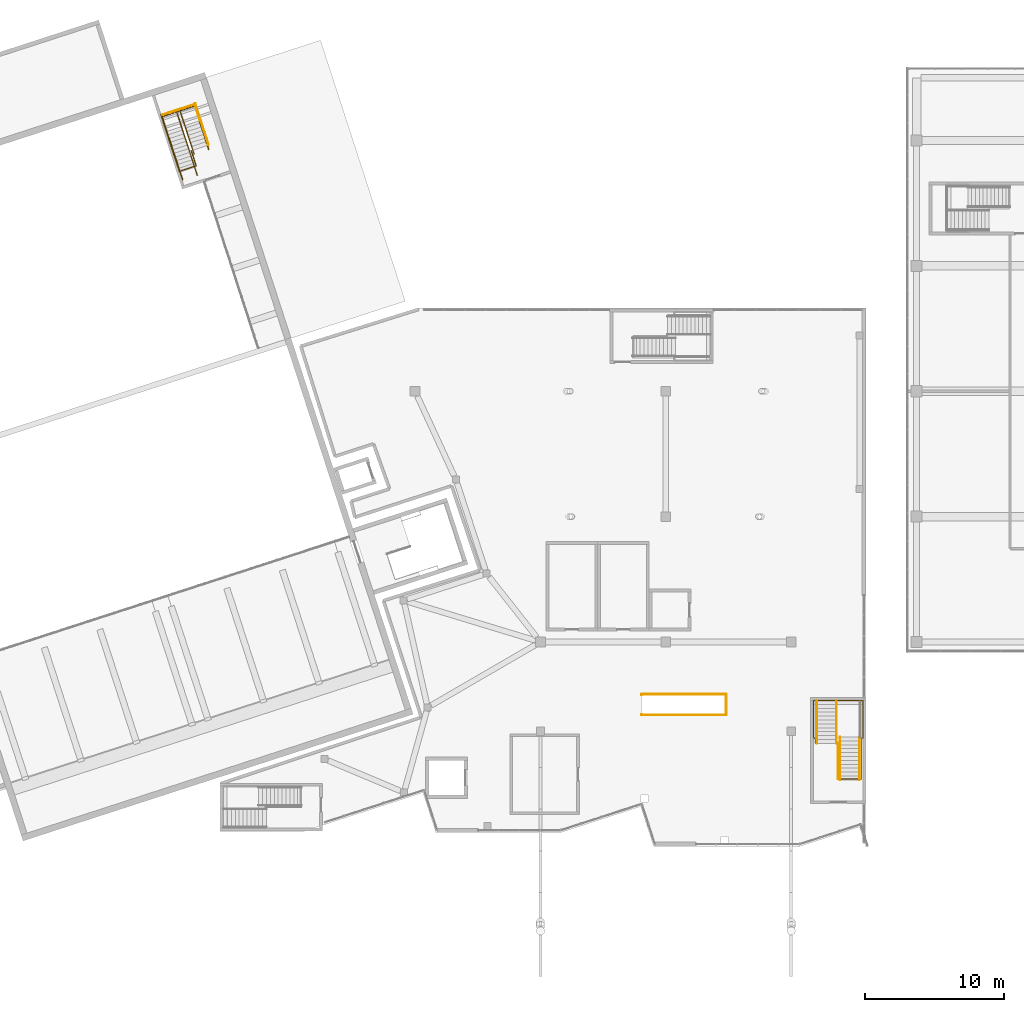
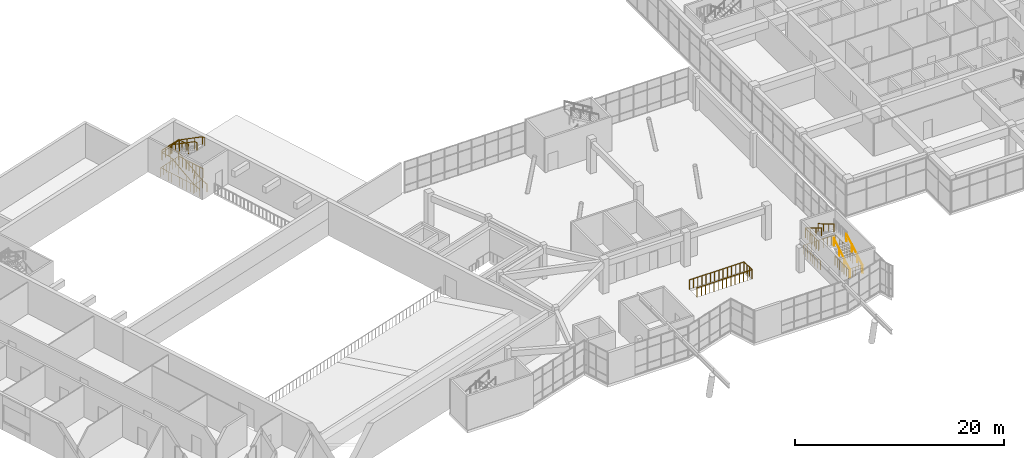
# One storey, part 63 of 65: 15 railings.
"""IFC4 building model written with IfcOpenShell, lengths in metres."""

from ifc_helpers import new_model, si_unit, direction, frame, origin, origin_2d, place, context, subcontext, project, spatial, circle, extrude, material, type_object, element, save


model = new_model("IFC4")

# Units and contexts
model_context = context("Model", 3, precision=1e-05, world=origin(), true_north=direction((0.0, 1.0)))
body_context = subcontext(model_context, "Body", "Model", "MODEL_VIEW")
ifc_project = project(units=[si_unit("LENGTHUNIT", "METRE"), si_unit("AREAUNIT", "SQUARE_METRE"), si_unit("VOLUMEUNIT", "CUBIC_METRE"), si_unit("PLANEANGLEUNIT", "RADIAN"), si_unit("MASSUNIT", "GRAM", prefix="KILO")], contexts=[model_context])

# Site, building, storey
site_placement = place(None, origin())
site = spatial("IfcSite", under=ifc_project, at=site_placement, CompositionType="ELEMENT")
building_placement = place(site_placement, origin())
building = spatial("IfcBuilding", under=site, at=building_placement, Name="Tuart Plaza Theatre", CompositionType="ELEMENT")
storey_placement = place(building_placement, frame((0.0, 0.0, 9.5)))
storey = spatial("IfcBuildingStorey", under=building, at=storey_placement, Name="L02", CompositionType="ELEMENT", Elevation=9.5)

# Railings
ifc_material_1 = material(Name="Steel Grade C350L0", Category="steel")
railing_type_1 = type_object("IfcRailingType", Name="RAILING Guard 1100", PredefinedType="GUARDRAIL", material=ifc_material_1)
railing_1_placement = place(storey_placement, frame((62.21435546875, 94.661865234375, 0.0)))
element("IfcRailing", 1, at=railing_1_placement, inside=storey, type_object=railing_type_1, Name="GR76", PredefinedType="GUARDRAIL", context=body_context, shape_type="SweptSolid", body=[
    extrude(circle(Radius=0.02490234375, at=origin_2d()), frame((0.0, 0.0, 1.0751953125), z_axis=(0.30901175762, -0.951058217804, 0.0), x_axis=(0.951058217804, 0.30901175762, 0.0)), (0.0, 0.0, 1.0), 3.119873046875),
    extrude(circle(Radius=0.02490234375, at=origin_2d()), frame((0.964111328125, -2.96728515625, 1.0751953125), z_axis=(-0.950834228174, -0.309700291463, 0.0), x_axis=(0.309700291463, -0.950834228174, 0.0)), (0.0, 0.0, 1.0), 0.044921875),
    extrude(circle(Radius=0.02001953125, at=origin_2d()), origin(), (0.0, 0.0, 1.0), 1.050048828125),
    extrude(circle(Radius=0.02001953125, at=origin_2d()), frame((0.1376953125, -0.423828125, 0.0)), (0.0, 0.0, 1.0), 1.050048828125),
    extrude(circle(Radius=0.02001953125, at=origin_2d()), frame((0.275390625, -0.847900390625, 0.0)), (0.0, 0.0, 1.0), 1.050048828125),
    extrude(circle(Radius=0.02001953125, at=origin_2d()), frame((0.4130859375, -1.271728515625, 0.0)), (0.0, 0.0, 1.0), 1.050048828125),
    extrude(circle(Radius=0.02001953125, at=origin_2d()), frame((0.551025390625, -1.695556640625, 0.0)), (0.0, 0.0, 1.0), 1.050048828125),
    extrude(circle(Radius=0.02001953125, at=origin_2d()), frame((0.688720703125, -2.119384765625, 0.0)), (0.0, 0.0, 1.0), 1.050048828125),
    extrude(circle(Radius=0.02001953125, at=origin_2d()), frame((0.826416015625, -2.54345703125, 0.0)), (0.0, 0.0, 1.0), 1.050048828125),
    extrude(circle(Radius=0.02001953125, at=origin_2d()), frame((0.964111328125, -2.96728515625, 0.0)), (0.0, 0.0, 1.0), 1.050048828125),
    extrude(circle(Radius=0.02001953125, at=origin_2d()), frame((0.92138671875, -2.981201171875, 0.0)), (0.0, 0.0, 1.0), 1.050048828125),
])
railing_2_placement = place(storey_placement, frame((61.919921875, 91.280517578125, 0.0)))
element("IfcRailing", 2, at=railing_2_placement, inside=storey, type_object=railing_type_1, Name="GR77", PredefinedType="GUARDRAIL", context=body_context, shape_type="SweptSolid", body=[
    extrude(circle(Radius=0.02490234375, at=origin_2d()), frame((0.0, 0.0, 1.0751953125), z_axis=(0.308990492345, -0.951065126918, 0.0), x_axis=(0.951065126918, 0.308990492345, 0.0)), (0.0, 0.0, 1.0), 1.1552734375),
    extrude(circle(Radius=0.02490234375, at=origin_2d()), frame((0.35693359375, -1.0986328125, 1.0751953125), z_axis=(-0.95106810125, -0.308981337277, 0.0), x_axis=(0.308981337277, -0.95106810125, 0.0)), (0.0, 0.0, 1.0), 1.26513671875),
    extrude(circle(Radius=0.02490234375, at=origin_2d()), frame((-0.84619140625, -1.489501953125, 1.0751953125), z_axis=(-0.308997073695, 0.951062988686, 0.0), x_axis=(-0.951062988686, -0.308997073695, 0.0)), (0.0, 0.0, 1.0), 4.280029296875),
    extrude(circle(Radius=0.02490234375, at=origin_2d()), frame((-2.168701171875, 2.5810546875, 1.0751953125), z_axis=(0.951059697131, 0.309007204598, 0.0), x_axis=(-0.309007204598, 0.951059697131, 0.0)), (0.0, 0.0, 1.0), 2.58984375),
    extrude(circle(Radius=0.02001953125, at=origin_2d()), origin(), (0.0, 0.0, 1.0), 1.050048828125),
    extrude(circle(Radius=0.02001953125, at=origin_2d()), frame((0.118896484375, -0.3662109375, 0.0)), (0.0, 0.0, 1.0), 1.050048828125),
    extrude(circle(Radius=0.02001953125, at=origin_2d()), frame((0.238037109375, -0.732421875, 0.0)), (0.0, 0.0, 1.0), 1.050048828125),
    extrude(circle(Radius=0.02001953125, at=origin_2d()), frame((0.35693359375, -1.0986328125, 0.0)), (0.0, 0.0, 1.0), 1.050048828125),
    extrude(circle(Radius=0.02001953125, at=origin_2d()), frame((-0.044189453125, -1.22900390625, 0.0)), (0.0, 0.0, 1.0), 1.050048828125),
    extrude(circle(Radius=0.02001953125, at=origin_2d()), frame((-0.445068359375, -1.359130859375, 0.0)), (0.0, 0.0, 1.0), 1.050048828125),
    extrude(circle(Radius=0.02001953125, at=origin_2d()), frame((-0.84619140625, -1.489501953125, 0.0)), (0.0, 0.0, 1.0), 1.050048828125),
    extrude(circle(Radius=0.02001953125, at=origin_2d()), frame((-0.9931640625, -1.037109375, 0.0)), (0.0, 0.0, 1.0), 1.050048828125),
    extrude(circle(Radius=0.02001953125, at=origin_2d()), frame((-1.14013671875, -0.5849609375, 0.0)), (0.0, 0.0, 1.0), 1.050048828125),
    extrude(circle(Radius=0.02001953125, at=origin_2d()), frame((-1.287109375, -0.132568359375, 0.0)), (0.0, 0.0, 1.0), 1.050048828125),
    extrude(circle(Radius=0.02001953125, at=origin_2d()), frame((-1.43408203125, 0.319580078125, 0.0)), (0.0, 0.0, 1.0), 1.050048828125),
    extrude(circle(Radius=0.02001953125, at=origin_2d()), frame((-1.580810546875, 0.77197265625, 0.0)), (0.0, 0.0, 1.0), 1.050048828125),
    extrude(circle(Radius=0.02001953125, at=origin_2d()), frame((-1.727783203125, 1.22412109375, 0.0)), (0.0, 0.0, 1.0), 1.050048828125),
    extrude(circle(Radius=0.02001953125, at=origin_2d()), frame((-1.874755859375, 1.676513671875, 0.0)), (0.0, 0.0, 1.0), 1.050048828125),
    extrude(circle(Radius=0.02001953125, at=origin_2d()), frame((-2.021728515625, 2.128662109375, 0.0)), (0.0, 0.0, 1.0), 1.050048828125),
    extrude(circle(Radius=0.02001953125, at=origin_2d()), frame((-2.168701171875, 2.5810546875, 0.0)), (0.0, 0.0, 1.0), 1.050048828125),
    extrude(circle(Radius=0.02001953125, at=origin_2d()), frame((-1.75830078125, 2.71435546875, 0.0)), (0.0, 0.0, 1.0), 1.050048828125),
    extrude(circle(Radius=0.02001953125, at=origin_2d()), frame((-1.34765625, 2.847900390625, 0.0)), (0.0, 0.0, 1.0), 1.050048828125),
    extrude(circle(Radius=0.02001953125, at=origin_2d()), frame((-0.93701171875, 2.981201171875, 0.0)), (0.0, 0.0, 1.0), 1.050048828125),
    extrude(circle(Radius=0.02001953125, at=origin_2d()), frame((-0.526611328125, 3.114501953125, 0.0)), (0.0, 0.0, 1.0), 1.050048828125),
    extrude(circle(Radius=0.02001953125, at=origin_2d()), frame((-0.1162109375, 3.248046875, 0.0)), (0.0, 0.0, 1.0), 1.050048828125),
    extrude(circle(Radius=0.02001953125, at=origin_2d()), frame((0.29443359375, 3.38134765625, 0.0)), (0.0, 0.0, 1.0), 1.050048828125),
])
railing_3_placement = place(storey_placement, frame((59.880615234375, 93.85107421875, 2.0)))
element("IfcRailing", 3, at=railing_3_placement, inside=storey, type_object=railing_type_1, Name="GR82", PredefinedType="GUARDRAIL", context=body_context, shape_type="SweptSolid", body=[
    extrude(circle(Radius=0.02490234375, at=origin_2d()), frame((0.0, 0.0, 1.0751953125), z_axis=(0.951066681605, 0.308985707017, 0.0), x_axis=(-0.308985707017, 0.951066681605, 0.0)), (0.0, 0.0, 1.0), 2.420166015625),
    extrude(circle(Radius=0.02001953125, at=origin_2d()), origin(), (0.0, 0.0, 1.0), 1.050048828125),
    extrude(circle(Radius=0.02001953125, at=origin_2d()), frame((0.46044921875, 0.149658203125, 0.0)), (0.0, 0.0, 1.0), 1.050048828125),
    extrude(circle(Radius=0.02001953125, at=origin_2d()), frame((0.920654296875, 0.299072265625, 0.0)), (0.0, 0.0, 1.0), 1.050048828125),
    extrude(circle(Radius=0.02001953125, at=origin_2d()), frame((1.381103515625, 0.44873046875, 0.0)), (0.0, 0.0, 1.0), 1.050048828125),
    extrude(circle(Radius=0.02001953125, at=origin_2d()), frame((1.84130859375, 0.59814453125, 0.0)), (0.0, 0.0, 1.0), 1.050048828125),
    extrude(circle(Radius=0.02001953125, at=origin_2d()), frame((2.3017578125, 0.747802734375, 0.0)), (0.0, 0.0, 1.0), 1.050048828125),
])
railing_4_placement = place(storey_placement, frame((62.182373046875, 94.598876953125, 2.0)))
element("IfcRailing", 4, at=railing_4_placement, inside=storey, type_object=railing_type_1, Name="GR83", PredefinedType="GUARDRAIL", context=body_context, shape_type="SweptSolid", body=[
    extrude(circle(Radius=0.02490234375, at=origin_2d()), frame((0.0, 0.0, 1.0751953125), z_axis=(0.309072606719, -0.951038444952, 0.0), x_axis=(0.951038444952, 0.309072606719, 0.0)), (0.0, 0.0, 1.0), 1.22998046875),
    extrude(circle(Radius=0.02001953125, at=origin_2d()), origin(), (0.0, 0.0, 1.0), 1.050048828125),
    extrude(circle(Radius=0.02001953125, at=origin_2d()), frame((0.126708984375, -0.389892578125, 0.0)), (0.0, 0.0, 1.0), 1.050048828125),
    extrude(circle(Radius=0.02001953125, at=origin_2d()), frame((0.25341796875, -0.77978515625, 0.0)), (0.0, 0.0, 1.0), 1.050048828125),
    extrude(circle(Radius=0.02001953125, at=origin_2d()), frame((0.380126953125, -1.169677734375, 0.0)), (0.0, 0.0, 1.0), 1.050048828125),
])
railing_5_placement = place(storey_placement, frame((108.3798828125, 46.159912109375, 0.0)))
element("IfcRailing", 5, at=railing_5_placement, inside=storey, type_object=railing_type_1, Name="GR147", PredefinedType="GUARDRAIL", context=body_context, shape_type="SweptSolid", body=[
    extrude(circle(Radius=0.02490234375, at=origin_2d()), frame((0.0, 0.0, 1.0751953125), z_axis=(0.0, 1.0, 0.0), x_axis=(-1.0, 0.0, 0.0)), (0.0, 0.0, 1.0), 2.5751953125),
    extrude(circle(Radius=0.02001953125, at=origin_2d()), origin(), (0.0, 0.0, 1.0), 1.050048828125),
    extrude(circle(Radius=0.02001953125, at=origin_2d()), frame((0.0, 0.42919921875, 0.0)), (0.0, 0.0, 1.0), 1.050048828125),
    extrude(circle(Radius=0.02001953125, at=origin_2d()), frame((0.0, 0.8583984375, 0.0)), (0.0, 0.0, 1.0), 1.050048828125),
    extrude(circle(Radius=0.02001953125, at=origin_2d()), frame((0.0, 1.28759765625, 0.0)), (0.0, 0.0, 1.0), 1.050048828125),
    extrude(circle(Radius=0.02001953125, at=origin_2d()), frame((0.0, 1.716796875, 0.0)), (0.0, 0.0, 1.0), 1.050048828125),
    extrude(circle(Radius=0.02001953125, at=origin_2d()), frame((0.0, 2.14599609375, 0.0)), (0.0, 0.0, 1.0), 1.050048828125),
    extrude(circle(Radius=0.02001953125, at=origin_2d()), frame((0.0, 2.5751953125, 0.0)), (0.0, 0.0, 1.0), 1.050048828125),
])
railing_6_placement = place(storey_placement, frame((106.800048828125, 48.739990234375, 0.0)))
element("IfcRailing", 6, at=railing_6_placement, inside=storey, type_object=railing_type_1, Name="GR148", PredefinedType="GUARDRAIL", context=body_context, shape_type="SweptSolid", body=[
    extrude(circle(Radius=0.02490234375, at=origin_2d()), frame((0.0, 0.0, 1.0751953125), z_axis=(-1.0, 0.0, 0.0), x_axis=(0.0, -1.0, 0.0)), (0.0, 0.0, 1.0), 0.045166015625),
    extrude(circle(Radius=0.02490234375, at=origin_2d()), frame((-0.045166015625, 0.0, 1.0751953125), z_axis=(0.0, 1.0, 0.0), x_axis=(-1.0, 0.0, 0.0)), (0.0, 0.0, 1.0), 0.3701171875),
    extrude(circle(Radius=0.02490234375, at=origin_2d()), frame((-0.045166015625, 0.3701171875, 1.0751953125), z_axis=(-1.0, 0.0, 0.0), x_axis=(0.0, -1.0, 0.0)), (0.0, 0.0, 1.0), 0.15478515625),
    extrude(circle(Radius=0.02490234375, at=origin_2d()), frame((-0.199951171875, 0.3701171875, 1.0751953125), z_axis=(0.0, 1.0, 0.0), x_axis=(-1.0, 0.0, 0.0)), (0.0, 0.0, 1.0), 2.68994140625),
    extrude(circle(Radius=0.02490234375, at=origin_2d()), frame((-0.199951171875, 3.06005859375, 1.0751953125), z_axis=(1.0, 0.0, 0.0), x_axis=(0.0, 1.0, 0.0)), (0.0, 0.0, 1.0), 3.559814453125),
    extrude(circle(Radius=0.02490234375, at=origin_2d()), frame((3.35986328125, 3.06005859375, 1.0751953125), z_axis=(0.0, -1.0, 0.0), x_axis=(1.0, 0.0, 0.0)), (0.0, 0.0, 1.0), 2.68994140625),
    extrude(circle(Radius=0.02490234375, at=origin_2d()), frame((3.35986328125, 0.3701171875, 1.0751953125), z_axis=(-1.0, 0.0, 0.0), x_axis=(0.0, -1.0, 0.0)), (0.0, 0.0, 1.0), 0.155029296875),
    extrude(circle(Radius=0.02490234375, at=origin_2d()), frame((3.204833984375, 0.3701171875, 1.0751953125), z_axis=(0.0, -1.0, 0.0), x_axis=(1.0, 0.0, 0.0)), (0.0, 0.0, 1.0), 2.9501953125),
    extrude(circle(Radius=0.02490234375, at=origin_2d()), frame((3.204833984375, -2.580078125, 1.0751953125), z_axis=(-1.0, 0.0, 0.0), x_axis=(0.0, -1.0, 0.0)), (0.0, 0.0, 1.0), 1.625),
    extrude(circle(Radius=0.02001953125, at=origin_2d()), origin(), (0.0, 0.0, 1.0), 1.050048828125),
    extrude(circle(Radius=0.02001953125, at=origin_2d()), frame((-0.045166015625, 0.0, 0.0)), (0.0, 0.0, 1.0), 1.050048828125),
    extrude(circle(Radius=0.02001953125, at=origin_2d()), frame((-0.045166015625, 0.3701171875, 0.0)), (0.0, 0.0, 1.0), 1.050048828125),
    extrude(circle(Radius=0.02001953125, at=origin_2d()), frame((-0.199951171875, 0.3701171875, 0.0)), (0.0, 0.0, 1.0), 1.050048828125),
    extrude(circle(Radius=0.02001953125, at=origin_2d()), frame((-0.199951171875, 0.818359375, 0.0)), (0.0, 0.0, 1.0), 1.050048828125),
    extrude(circle(Radius=0.02001953125, at=origin_2d()), frame((-0.199951171875, 1.266845703125, 0.0)), (0.0, 0.0, 1.0), 1.050048828125),
    extrude(circle(Radius=0.02001953125, at=origin_2d()), frame((-0.199951171875, 1.715087890625, 0.0)), (0.0, 0.0, 1.0), 1.050048828125),
    extrude(circle(Radius=0.02001953125, at=origin_2d()), frame((-0.199951171875, 2.163330078125, 0.0)), (0.0, 0.0, 1.0), 1.050048828125),
    extrude(circle(Radius=0.02001953125, at=origin_2d()), frame((-0.199951171875, 2.61181640625, 0.0)), (0.0, 0.0, 1.0), 1.050048828125),
    extrude(circle(Radius=0.02001953125, at=origin_2d()), frame((-0.199951171875, 3.06005859375, 0.0)), (0.0, 0.0, 1.0), 1.050048828125),
    extrude(circle(Radius=0.02001953125, at=origin_2d()), frame((0.2451171875, 3.06005859375, 0.0)), (0.0, 0.0, 1.0), 1.050048828125),
    extrude(circle(Radius=0.02001953125, at=origin_2d()), frame((0.68994140625, 3.06005859375, 0.0)), (0.0, 0.0, 1.0), 1.050048828125),
    extrude(circle(Radius=0.02001953125, at=origin_2d()), frame((1.135009765625, 3.06005859375, 0.0)), (0.0, 0.0, 1.0), 1.050048828125),
    extrude(circle(Radius=0.02001953125, at=origin_2d()), frame((1.580078125, 3.06005859375, 0.0)), (0.0, 0.0, 1.0), 1.050048828125),
    extrude(circle(Radius=0.02001953125, at=origin_2d()), frame((2.02490234375, 3.06005859375, 0.0)), (0.0, 0.0, 1.0), 1.050048828125),
    extrude(circle(Radius=0.02001953125, at=origin_2d()), frame((2.469970703125, 3.06005859375, 0.0)), (0.0, 0.0, 1.0), 1.050048828125),
    extrude(circle(Radius=0.02001953125, at=origin_2d()), frame((2.914794921875, 3.06005859375, 0.0)), (0.0, 0.0, 1.0), 1.050048828125),
    extrude(circle(Radius=0.02001953125, at=origin_2d()), frame((3.35986328125, 3.06005859375, 0.0)), (0.0, 0.0, 1.0), 1.050048828125),
    extrude(circle(Radius=0.02001953125, at=origin_2d()), frame((3.35986328125, 2.61181640625, 0.0)), (0.0, 0.0, 1.0), 1.050048828125),
    extrude(circle(Radius=0.02001953125, at=origin_2d()), frame((3.35986328125, 2.163330078125, 0.0)), (0.0, 0.0, 1.0), 1.050048828125),
    extrude(circle(Radius=0.02001953125, at=origin_2d()), frame((3.35986328125, 1.715087890625, 0.0)), (0.0, 0.0, 1.0), 1.050048828125),
    extrude(circle(Radius=0.02001953125, at=origin_2d()), frame((3.35986328125, 1.266845703125, 0.0)), (0.0, 0.0, 1.0), 1.050048828125),
    extrude(circle(Radius=0.02001953125, at=origin_2d()), frame((3.35986328125, 0.818359375, 0.0)), (0.0, 0.0, 1.0), 1.050048828125),
    extrude(circle(Radius=0.02001953125, at=origin_2d()), frame((3.35986328125, 0.3701171875, 0.0)), (0.0, 0.0, 1.0), 1.050048828125),
    extrude(circle(Radius=0.02001953125, at=origin_2d()), frame((3.204833984375, 0.3701171875, 0.0)), (0.0, 0.0, 1.0), 1.050048828125),
    extrude(circle(Radius=0.02001953125, at=origin_2d()), frame((3.204833984375, -0.12158203125, 0.0)), (0.0, 0.0, 1.0), 1.050048828125),
    extrude(circle(Radius=0.02001953125, at=origin_2d()), frame((3.204833984375, -0.61328125, 0.0)), (0.0, 0.0, 1.0), 1.050048828125),
    extrude(circle(Radius=0.02001953125, at=origin_2d()), frame((3.204833984375, -1.10498046875, 0.0)), (0.0, 0.0, 1.0), 1.050048828125),
    extrude(circle(Radius=0.02001953125, at=origin_2d()), frame((3.204833984375, -1.5966796875, 0.0)), (0.0, 0.0, 1.0), 1.050048828125),
    extrude(circle(Radius=0.02001953125, at=origin_2d()), frame((3.204833984375, -2.08837890625, 0.0)), (0.0, 0.0, 1.0), 1.050048828125),
    extrude(circle(Radius=0.02001953125, at=origin_2d()), frame((3.204833984375, -2.580078125, 0.0)), (0.0, 0.0, 1.0), 1.050048828125),
    extrude(circle(Radius=0.02001953125, at=origin_2d()), frame((2.798583984375, -2.580078125, 0.0)), (0.0, 0.0, 1.0), 1.050048828125),
    extrude(circle(Radius=0.02001953125, at=origin_2d()), frame((2.392333984375, -2.580078125, 0.0)), (0.0, 0.0, 1.0), 1.050048828125),
    extrude(circle(Radius=0.02001953125, at=origin_2d()), frame((1.986083984375, -2.580078125, 0.0)), (0.0, 0.0, 1.0), 1.050048828125),
    extrude(circle(Radius=0.02001953125, at=origin_2d()), frame((1.579833984375, -2.580078125, 0.0)), (0.0, 0.0, 1.0), 1.050048828125),
])
railing_7_placement = place(storey_placement, frame((106.804931640625, 51.679931640625, 2.0)))
element("IfcRailing", 7, at=railing_7_placement, inside=storey, type_object=railing_type_1, Name="GR154", PredefinedType="GUARDRAIL", context=body_context, shape_type="SweptSolid", body=[
    extrude(circle(Radius=0.02490234375, at=origin_2d()), frame((0.0, 0.0, 1.0751953125), z_axis=(0.0, -1.0, 0.0), x_axis=(1.0, 0.0, 0.0)), (0.0, 0.0, 1.0), 2.52001953125),
    extrude(circle(Radius=0.02001953125, at=origin_2d()), origin(), (0.0, 0.0, 1.0), 1.050048828125),
    extrude(circle(Radius=0.02001953125, at=origin_2d()), frame((0.0, -0.419921875, 0.0)), (0.0, 0.0, 1.0), 1.050048828125),
    extrude(circle(Radius=0.02001953125, at=origin_2d()), frame((0.0, -0.840087890625, 0.0)), (0.0, 0.0, 1.0), 1.050048828125),
    extrude(circle(Radius=0.02001953125, at=origin_2d()), frame((0.0, -1.260009765625, 0.0)), (0.0, 0.0, 1.0), 1.050048828125),
    extrude(circle(Radius=0.02001953125, at=origin_2d()), frame((0.0, -1.679931640625, 0.0)), (0.0, 0.0, 1.0), 1.050048828125),
    extrude(circle(Radius=0.02001953125, at=origin_2d()), frame((0.0, -2.10009765625, 0.0)), (0.0, 0.0, 1.0), 1.050048828125),
    extrude(circle(Radius=0.02001953125, at=origin_2d()), frame((0.0, -2.52001953125, 0.0)), (0.0, 0.0, 1.0), 1.050048828125),
])
railing_8_placement = place(storey_placement, frame((100.340087890625, 52.25, 0.0)))
element("IfcRailing", 8, at=railing_8_placement, inside=storey, type_object=railing_type_1, Name="GR177", PredefinedType="GUARDRAIL", context=body_context, shape_type="SweptSolid", body=[
    extrude(circle(Radius=0.02490234375, at=origin_2d()), frame((0.0, 0.0, 1.0751953125), z_axis=(-1.0, 0.0, 0.0), x_axis=(0.0, -1.0, 0.0)), (0.0, 0.0, 1.0), 6.080078125),
    extrude(circle(Radius=0.02490234375, at=origin_2d()), frame((-6.080078125, 0.0, 1.0751953125), z_axis=(0.0, -1.0, 0.0), x_axis=(1.0, 0.0, 0.0)), (0.0, 0.0, 1.0), 0.044921875),
    extrude(circle(Radius=0.02001953125, at=origin_2d()), origin(), (0.0, 0.0, 1.0), 1.050048828125),
    extrude(circle(Radius=0.02001953125, at=origin_2d()), frame((-0.4677734375, 0.0, 0.0)), (0.0, 0.0, 1.0), 1.050048828125),
    extrude(circle(Radius=0.02001953125, at=origin_2d()), frame((-0.935302734375, 0.0, 0.0)), (0.0, 0.0, 1.0), 1.050048828125),
    extrude(circle(Radius=0.02001953125, at=origin_2d()), frame((-1.403076171875, 0.0, 0.0)), (0.0, 0.0, 1.0), 1.050048828125),
    extrude(circle(Radius=0.02001953125, at=origin_2d()), frame((-1.870849609375, 0.0, 0.0)), (0.0, 0.0, 1.0), 1.050048828125),
    extrude(circle(Radius=0.02001953125, at=origin_2d()), frame((-2.33837890625, 0.0, 0.0)), (0.0, 0.0, 1.0), 1.050048828125),
    extrude(circle(Radius=0.02001953125, at=origin_2d()), frame((-2.80615234375, 0.0, 0.0)), (0.0, 0.0, 1.0), 1.050048828125),
    extrude(circle(Radius=0.02001953125, at=origin_2d()), frame((-3.27392578125, 0.0, 0.0)), (0.0, 0.0, 1.0), 1.050048828125),
    extrude(circle(Radius=0.02001953125, at=origin_2d()), frame((-3.74169921875, 0.0, 0.0)), (0.0, 0.0, 1.0), 1.050048828125),
    extrude(circle(Radius=0.02001953125, at=origin_2d()), frame((-4.209228515625, 0.0, 0.0)), (0.0, 0.0, 1.0), 1.050048828125),
    extrude(circle(Radius=0.02001953125, at=origin_2d()), frame((-4.677001953125, 0.0, 0.0)), (0.0, 0.0, 1.0), 1.050048828125),
    extrude(circle(Radius=0.02001953125, at=origin_2d()), frame((-5.144775390625, 0.0, 0.0)), (0.0, 0.0, 1.0), 1.050048828125),
    extrude(circle(Radius=0.02001953125, at=origin_2d()), frame((-5.6123046875, 0.0, 0.0)), (0.0, 0.0, 1.0), 1.050048828125),
    extrude(circle(Radius=0.02001953125, at=origin_2d()), frame((-6.080078125, 0.0, 0.0)), (0.0, 0.0, 1.0), 1.050048828125),
    extrude(circle(Radius=0.02001953125, at=origin_2d()), frame((-6.080078125, -0.044921875, 0.0)), (0.0, 0.0, 1.0), 1.050048828125),
])
railing_9_placement = place(storey_placement, frame((94.260009765625, 50.794921875, 0.0)))
element("IfcRailing", 9, at=railing_9_placement, inside=storey, type_object=railing_type_1, Name="GR178", PredefinedType="GUARDRAIL", context=body_context, shape_type="SweptSolid", body=[
    extrude(circle(Radius=0.02490234375, at=origin_2d()), frame((0.0, 0.0, 1.0751953125), z_axis=(0.0, -1.0, 0.0), x_axis=(1.0, 0.0, 0.0)), (0.0, 0.0, 1.0), 0.044921875),
    extrude(circle(Radius=0.02490234375, at=origin_2d()), frame((0.0, -0.044921875, 1.0751953125), z_axis=(1.0, 0.0, 0.0), x_axis=(0.0, 1.0, 0.0)), (0.0, 0.0, 1.0), 6.080078125),
    extrude(circle(Radius=0.02490234375, at=origin_2d()), frame((6.080078125, -0.044921875, 1.0751953125), z_axis=(0.0, 1.0, 0.0), x_axis=(-1.0, 0.0, 0.0)), (0.0, 0.0, 1.0), 1.5),
    extrude(circle(Radius=0.02001953125, at=origin_2d()), origin(), (0.0, 0.0, 1.0), 1.050048828125),
    extrude(circle(Radius=0.02001953125, at=origin_2d()), frame((0.0, -0.044921875, 0.0)), (0.0, 0.0, 1.0), 1.050048828125),
    extrude(circle(Radius=0.02001953125, at=origin_2d()), frame((0.4677734375, -0.044921875, 0.0)), (0.0, 0.0, 1.0), 1.050048828125),
    extrude(circle(Radius=0.02001953125, at=origin_2d()), frame((0.935302734375, -0.044921875, 0.0)), (0.0, 0.0, 1.0), 1.050048828125),
    extrude(circle(Radius=0.02001953125, at=origin_2d()), frame((1.403076171875, -0.044921875, 0.0)), (0.0, 0.0, 1.0), 1.050048828125),
    extrude(circle(Radius=0.02001953125, at=origin_2d()), frame((1.870849609375, -0.044921875, 0.0)), (0.0, 0.0, 1.0), 1.050048828125),
    extrude(circle(Radius=0.02001953125, at=origin_2d()), frame((2.33837890625, -0.044921875, 0.0)), (0.0, 0.0, 1.0), 1.050048828125),
    extrude(circle(Radius=0.02001953125, at=origin_2d()), frame((2.80615234375, -0.044921875, 0.0)), (0.0, 0.0, 1.0), 1.050048828125),
    extrude(circle(Radius=0.02001953125, at=origin_2d()), frame((3.27392578125, -0.044921875, 0.0)), (0.0, 0.0, 1.0), 1.050048828125),
    extrude(circle(Radius=0.02001953125, at=origin_2d()), frame((3.74169921875, -0.044921875, 0.0)), (0.0, 0.0, 1.0), 1.050048828125),
    extrude(circle(Radius=0.02001953125, at=origin_2d()), frame((4.209228515625, -0.044921875, 0.0)), (0.0, 0.0, 1.0), 1.050048828125),
    extrude(circle(Radius=0.02001953125, at=origin_2d()), frame((4.677001953125, -0.044921875, 0.0)), (0.0, 0.0, 1.0), 1.050048828125),
    extrude(circle(Radius=0.02001953125, at=origin_2d()), frame((5.144775390625, -0.044921875, 0.0)), (0.0, 0.0, 1.0), 1.050048828125),
    extrude(circle(Radius=0.02001953125, at=origin_2d()), frame((5.6123046875, -0.044921875, 0.0)), (0.0, 0.0, 1.0), 1.050048828125),
    extrude(circle(Radius=0.02001953125, at=origin_2d()), frame((6.080078125, -0.044921875, 0.0)), (0.0, 0.0, 1.0), 1.050048828125),
    extrude(circle(Radius=0.02001953125, at=origin_2d()), frame((6.080078125, 0.455078125, 0.0)), (0.0, 0.0, 1.0), 1.050048828125),
    extrude(circle(Radius=0.02001953125, at=origin_2d()), frame((6.080078125, 0.955078125, 0.0)), (0.0, 0.0, 1.0), 1.050048828125),
    extrude(circle(Radius=0.02001953125, at=origin_2d()), frame((6.080078125, 1.455078125, 0.0)), (0.0, 0.0, 1.0), 1.050048828125),
])
ifc_material_2 = material(Name="Steel Grade C350L0", Category="steel")
railing_type_2 = type_object("IfcRailingType", Name="RAILING Handrail 900", PredefinedType="HANDRAIL", material=ifc_material_2)
railing_10_placement = place(storey_placement, frame((62.36181640625, 89.515625, 0.0)))
element("IfcRailing", 10, at=railing_10_placement, inside=storey, type_object=railing_type_2, Name="HR45", PredefinedType="HANDRAIL", context=body_context, shape_type="SweptSolid", body=[
    extrude(circle(Radius=0.0224609375, at=origin_2d()), frame((0.0, 0.0, 0.87744140625), z_axis=(-0.297609553916, 0.916355108697, 0.267809387779), x_axis=(-0.951096855055, -0.308892816854, 0.0)), (0.0, 0.0, 1.0), 0.62255859375),
    extrude(circle(Radius=0.0224609375, at=origin_2d()), frame((-0.185302734375, 0.570556640625, 1.044189453125), z_axis=(-0.265561944864, 0.817255136299, 0.511440021541), x_axis=(-0.951049794196, -0.309037682104, 0.0)), (0.0, 0.0, 1.0), 3.58447265625),
    extrude(circle(Radius=0.0224609375, at=origin_2d()), frame((-1.13720703125, 3.5, 2.87744140625), z_axis=(-0.308960600764, 0.951074837842, 0.0), x_axis=(-0.951074837842, -0.308960600764, 0.0)), (0.0, 0.0, 1.0), 1.099853515625),
    extrude(circle(Radius=0.0224609375, at=origin_2d()), frame((-1.47705078125, 4.546142578125, 2.87744140625), z_axis=(0.705499316443, 0.228888895273, 0.670731382984), x_axis=(-0.308600224758, 0.951191832008, 0.0)), (0.0, 0.0, 1.0), 0.337158203125),
    extrude(circle(Radius=0.0224609375, at=origin_2d()), frame((-1.2392578125, 4.623291015625, 3.103515625), z_axis=(0.265533988883, -0.817228016156, 0.511497869359), x_axis=(0.951056341824, 0.309017531343, 0.0)), (0.0, 0.0, 1.0), 3.468017578125),
    extrude(circle(Radius=0.0224609375, at=origin_2d()), frame((-0.318359375, 1.7890625, 4.87744140625), z_axis=(0.309380609282, -0.950938293792, 0.0), x_axis=(0.950938293792, 0.309380609282, 0.0)), (0.0, 0.0, 1.0), 0.2998046875),
    extrude(circle(Radius=0.01513671875, at=origin_2d()), origin(), (0.0, 0.0, 1.0), 0.85498046875),
    extrude(circle(Radius=0.01513671875, at=origin_2d()), frame((-0.185302734375, 0.570556640625, 0.166748046875)), (0.0, 0.0, 1.0), 0.85498046875),
    extrude(circle(Radius=0.01513671875, at=origin_2d()), frame((-0.502685546875, 1.547119140625, 0.77783203125)), (0.0, 0.0, 1.0), 0.85498046875),
    extrude(circle(Radius=0.01513671875, at=origin_2d()), frame((-0.81982421875, 2.5234375, 1.388916015625)), (0.0, 0.0, 1.0), 0.85498046875),
    extrude(circle(Radius=0.01513671875, at=origin_2d()), frame((-1.13720703125, 3.5, 2.0)), (0.0, 0.0, 1.0), 0.85498046875),
    extrude(circle(Radius=0.01513671875, at=origin_2d()), frame((-1.47705078125, 4.546142578125, 2.0)), (0.0, 0.0, 1.0), 0.85498046875),
    extrude(circle(Radius=0.01513671875, at=origin_2d()), frame((-1.2392578125, 4.623291015625, 2.22607421875)), (0.0, 0.0, 1.0), 0.85498046875),
    extrude(circle(Radius=0.01513671875, at=origin_2d()), frame((-0.932373046875, 3.678466796875, 2.8173828125)), (0.0, 0.0, 1.0), 0.85498046875),
    extrude(circle(Radius=0.01513671875, at=origin_2d()), frame((-0.625244140625, 2.73388671875, 3.40869140625)), (0.0, 0.0, 1.0), 0.85498046875),
    extrude(circle(Radius=0.01513671875, at=origin_2d()), frame((-0.318359375, 1.7890625, 4.0)), (0.0, 0.0, 1.0), 0.85498046875),
    extrude(circle(Radius=0.01513671875, at=origin_2d()), frame((-0.2255859375, 1.50390625, 4.0)), (0.0, 0.0, 1.0), 0.85498046875),
])
railing_11_placement = place(storey_placement, frame((61.315673828125, 89.17578125, 0.0)))
element("IfcRailing", 11, at=railing_11_placement, inside=storey, type_object=railing_type_2, Name="HR46", PredefinedType="HANDRAIL", context=body_context, shape_type="SweptSolid", body=[
    extrude(circle(Radius=0.0224609375, at=origin_2d()), frame((0.0, 0.0, 0.87744140625), z_axis=(-0.297609553916, 0.916355108697, 0.267809387779), x_axis=(-0.951096855055, -0.308892816854, 0.0)), (0.0, 0.0, 1.0), 0.62255859375),
    extrude(circle(Radius=0.0224609375, at=origin_2d()), frame((-0.185302734375, 0.570556640625, 1.044189453125), z_axis=(-0.265576727582, 0.817232515395, 0.511468491257), x_axis=(-0.951042223598, -0.309060979314, 0.0)), (0.0, 0.0, 1.0), 3.584228515625),
    extrude(circle(Radius=0.0224609375, at=origin_2d()), frame((-1.13720703125, 3.499755859375, 2.87744140625), z_axis=(-0.308960600764, 0.951074837842, 0.0), x_axis=(-0.951074837842, -0.308960600764, 0.0)), (0.0, 0.0, 1.0), 1.099853515625),
    extrude(circle(Radius=0.0224609375, at=origin_2d()), frame((-1.47705078125, 4.5458984375, 2.87744140625), z_axis=(0.947034141024, 0.307706713256, 0.091885332627), x_axis=(-0.309013967595, 0.95105749975, 0.0)), (0.0, 0.0, 1.0), 2.46044921875),
    extrude(circle(Radius=0.0224609375, at=origin_2d()), frame((0.85302734375, 5.302978515625, 3.103515625), z_axis=(0.265549265619, -0.817204632901, 0.511527296921), x_axis=(0.951048517831, 0.309041610033, 0.0)), (0.0, 0.0, 1.0), 3.468017578125),
    extrude(circle(Radius=0.0224609375, at=origin_2d()), frame((1.77392578125, 2.468994140625, 4.87744140625), z_axis=(0.309141257546, -0.951016131768, 0.0), x_axis=(0.951016131768, 0.309141257546, 0.0)), (0.0, 0.0, 1.0), 0.300048828125),
    extrude(circle(Radius=0.01513671875, at=origin_2d()), origin(), (0.0, 0.0, 1.0), 0.85498046875),
    extrude(circle(Radius=0.01513671875, at=origin_2d()), frame((-0.185302734375, 0.570556640625, 0.166748046875)), (0.0, 0.0, 1.0), 0.85498046875),
    extrude(circle(Radius=0.01513671875, at=origin_2d()), frame((-0.502685546875, 1.546875, 0.77783203125)), (0.0, 0.0, 1.0), 0.85498046875),
    extrude(circle(Radius=0.01513671875, at=origin_2d()), frame((-0.81982421875, 2.5234375, 1.388916015625)), (0.0, 0.0, 1.0), 0.85498046875),
    extrude(circle(Radius=0.01513671875, at=origin_2d()), frame((-1.13720703125, 3.499755859375, 2.0)), (0.0, 0.0, 1.0), 0.85498046875),
    extrude(circle(Radius=0.01513671875, at=origin_2d()), frame((-1.47705078125, 4.5458984375, 2.0)), (0.0, 0.0, 1.0), 0.85498046875),
    extrude(circle(Radius=0.01513671875, at=origin_2d()), frame((-0.31201171875, 4.92431640625, 2.113037109375)), (0.0, 0.0, 1.0), 0.85498046875),
    extrude(circle(Radius=0.01513671875, at=origin_2d()), frame((0.85302734375, 5.302978515625, 2.22607421875)), (0.0, 0.0, 1.0), 0.85498046875),
    extrude(circle(Radius=0.01513671875, at=origin_2d()), frame((1.159912109375, 4.3583984375, 2.8173828125)), (0.0, 0.0, 1.0), 0.85498046875),
    extrude(circle(Radius=0.01513671875, at=origin_2d()), frame((1.467041015625, 3.41357421875, 3.40869140625)), (0.0, 0.0, 1.0), 0.85498046875),
    extrude(circle(Radius=0.01513671875, at=origin_2d()), frame((1.77392578125, 2.468994140625, 4.0)), (0.0, 0.0, 1.0), 0.85498046875),
    extrude(circle(Radius=0.01513671875, at=origin_2d()), frame((1.86669921875, 2.18359375, 4.0)), (0.0, 0.0, 1.0), 0.85498046875),
])
for number, where, name in (
    (12, (108.5048828125, 46.10009765625, 0.166748046875), "HR87"),
    (13, (109.905029296875, 46.10009765625, 0.166748046875), "HR88"),
):
    element("IfcRailing", number, at=place(storey_placement, frame(where)), inside=storey, type_object=railing_type_2, Name=name, PredefinedType="HANDRAIL", context=body_context, shape_type="SweptSolid", body=[
        extrude(circle(Radius=0.0224609375, at=origin_2d()), frame((0.0, 0.0, 0.87744140625), z_axis=(0.0, 0.859290745958, 0.51148745235), x_axis=(-1.0, 0.0, 0.0)), (0.0, 0.0, 1.0), 3.584228515625),
        extrude(circle(Radius=0.01513671875, at=origin_2d()), origin(), (0.0, 0.0, 1.0), 0.85498046875),
        extrude(circle(Radius=0.01513671875, at=origin_2d()), frame((0.0, 1.026611328125, 0.611083984375)), (0.0, 0.0, 1.0), 0.85498046875),
        extrude(circle(Radius=0.01513671875, at=origin_2d()), frame((0.0, 2.05322265625, 1.22216796875)), (0.0, 0.0, 1.0), 0.85498046875),
        extrude(circle(Radius=0.01513671875, at=origin_2d()), frame((0.0, 3.079833984375, 1.833251953125)), (0.0, 0.0, 1.0), 0.85498046875),
    ])
for number, where, name in (
    (14, (108.2548828125, 51.800048828125, 2.166748046875), "HR89"),
    (15, (106.85498046875, 51.800048828125, 2.166748046875), "HR90"),
):
    element("IfcRailing", number, at=place(storey_placement, frame(where)), inside=storey, type_object=railing_type_2, Name=name, PredefinedType="HANDRAIL", context=body_context, shape_type="SweptSolid", body=[
        extrude(circle(Radius=0.0224609375, at=origin_2d()), frame((0.0, 0.0, 0.87744140625), z_axis=(0.0, -0.859308565015, 0.511457515432), x_axis=(1.0, 0.0, 0.0)), (0.0, 0.0, 1.0), 3.58447265625),
        extrude(circle(Radius=0.01513671875, at=origin_2d()), origin(), (0.0, 0.0, 1.0), 0.85498046875),
        extrude(circle(Radius=0.01513671875, at=origin_2d()), frame((0.0, -1.026611328125, 0.611083984375)), (0.0, 0.0, 1.0), 0.85498046875),
        extrude(circle(Radius=0.01513671875, at=origin_2d()), frame((0.0, -2.053466796875, 1.22216796875)), (0.0, 0.0, 1.0), 0.85498046875),
        extrude(circle(Radius=0.01513671875, at=origin_2d()), frame((0.0, -3.080078125, 1.833251953125)), (0.0, 0.0, 1.0), 0.85498046875),
    ])

save(model, "model.ifc")
